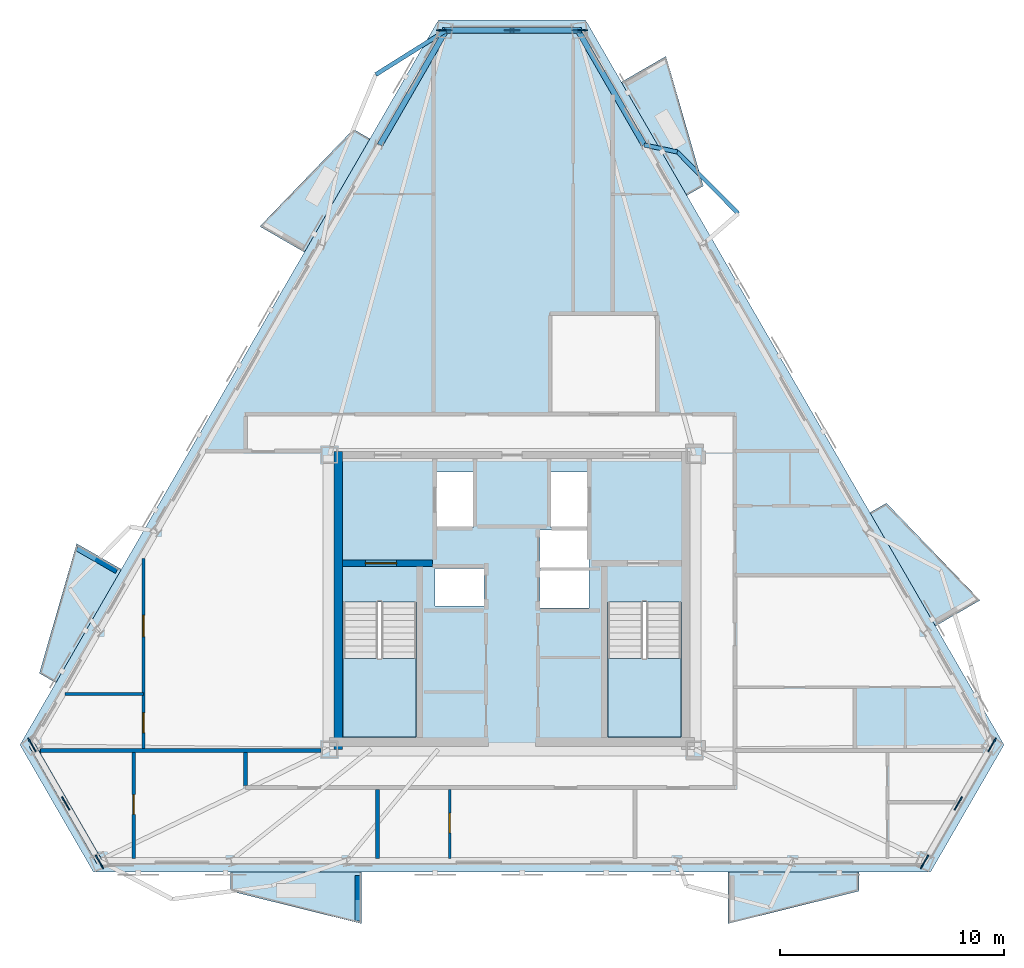
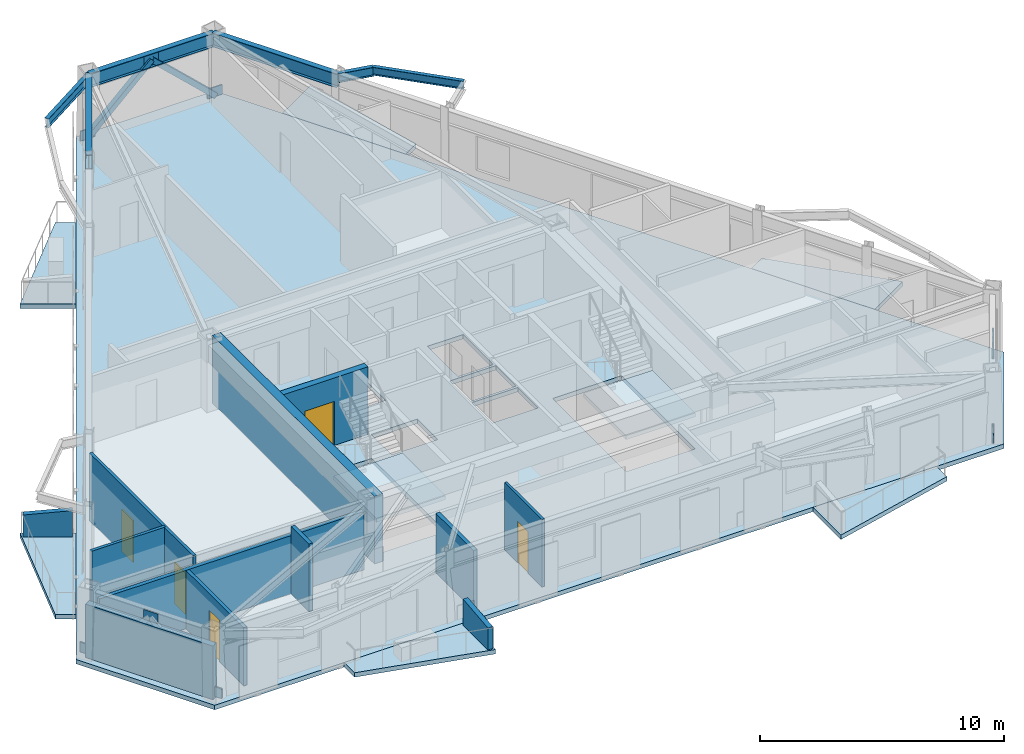
# One storey, part 2 of 9: 12 walls, 9 plates, 9 slabs, 6 beams, 5 doors, 2 members, 5 openings, 2 elements without a shape of their own.
"""IFC4 building model written with IfcOpenShell, lengths in metres."""

from ifc_helpers import new_model, si_unit, direction, frame, frame_2d, origin, origin_2d, place, context, subcontext, project, spatial, polyline, rectangle, hollow_rectangle, i_section, outline, extrude, material, layer, layer_set, material_profile, profile_set, type_object, element, fill, aggregate, save


model = new_model("IFC4")

# Units and contexts
model_context = context("Model", 3, precision=1e-05, world=origin(), true_north=direction((0.0, 1.0)))
body_context = subcontext(model_context, "Body", "Model", "MODEL_VIEW")
ifc_project = project(units=[si_unit("LENGTHUNIT", "METRE"), si_unit("AREAUNIT", "SQUARE_METRE"), si_unit("VOLUMEUNIT", "CUBIC_METRE"), si_unit("PLANEANGLEUNIT", "RADIAN"), si_unit("MASSUNIT", "GRAM", prefix="KILO")], contexts=[model_context])

# Site, building, storey
site_placement = place(None, origin())
site = spatial("IfcSite", under=ifc_project, at=site_placement, CompositionType="ELEMENT")
building_placement = place(site_placement, origin())
building = spatial("IfcBuilding", under=site, at=building_placement, Name="Oramaril Tower", CompositionType="ELEMENT")
storey_placement = place(building_placement, frame((0.0, 0.0, 234.300048828125)))
storey = spatial("IfcBuildingStorey", under=building, at=storey_placement, Name="L62", CompositionType="ELEMENT", Elevation=234.300048828125)

# Beams
ifc_material_1 = material(Name="Steel ASTM A572 Gr 50", Category="steel")
ifc_material_profile_1 = material_profile(ifc_material_1, i_section(OverallWidth=0.19091796875, OverallDepth=0.45703125, WebThickness=0.009033203125, FlangeThickness=0.014404296875, at=origin_2d()), Name="W18X50")
ifc_profile_set_1 = profile_set([ifc_material_profile_1], Name="Steel ASTM A572 Gr 50")
beam_type_1 = type_object("IfcBeamType", Name="BT-BB1", PredefinedType="BEAM", material=ifc_profile_set_1)
beam_1_placement = place(storey_placement, frame((43.4013671875, 37.993896484375, 3.1513671875), z_axis=(0.978914593591, -0.204269964642, 0.0), x_axis=(0.204269964642, 0.978914593591, 0.0)))
element("IfcBeam", 1, at=beam_1_placement, inside=storey, type_object=beam_type_1, Name="L62 Balcony Column-Framed Cantilever 04.2", PredefinedType="BEAM", context=body_context, shape_type="SweptSolid", body=[
    extrude(i_section(OverallWidth=0.19091796875, OverallDepth=0.45703125, WebThickness=0.009033203125, FlangeThickness=0.014404296875, at=origin_2d()), origin(), (0.0, 0.0, 1.0), 1.51318359375),
])
beam_2_placement = place(storey_placement, frame((34.550537109375, 43.10693359375, 3.1513671875), z_axis=(-0.846798752878, -0.531913406604, 0.0), x_axis=(0.531913406604, -0.846798752878, 0.0)))
element("IfcBeam", 2, at=beam_2_placement, inside=storey, type_object=beam_type_1, Name="L62 Balcony Column-Framed Cantilever 05.1", PredefinedType="BEAM", context=body_context, shape_type="SweptSolid", body=[
    extrude(i_section(OverallWidth=0.19091796875, OverallDepth=0.45703125, WebThickness=0.009033203125, FlangeThickness=0.014404296875, at=origin_2d()), origin(), (0.0, 0.0, 1.0), 3.699951171875),
])
ifc_material_2 = material(Name="Steel ASTM A572 Gr 50", Category="steel")
ifc_material_profile_2 = material_profile(ifc_material_2, i_section(OverallWidth=0.177978515625, OverallDepth=0.404052734375, WebThickness=0.007568359375, FlangeThickness=0.010986328125, at=origin_2d()), Name="W16X36")
ifc_profile_set_2 = profile_set([ifc_material_profile_2], Name="Steel ASTM A572 Gr 50")
beam_type_2 = type_object("IfcBeamType", Name="BT-SB1", PredefinedType="BEAM", material=ifc_profile_set_2)
beam_3_placement = place(storey_placement, frame((47.603271484375, 34.932373046875, 3.177978515625), z_axis=(-0.702994511648, 0.71119527318, 0.0), x_axis=(-0.71119527318, -0.702994511648, 0.0)))
element("IfcBeam", 3, at=beam_3_placement, inside=storey, type_object=beam_type_2, Name="L62 Balcony Edge Tie Beam 04", PredefinedType="BEAM", context=body_context, shape_type="SweptSolid", body=[
    extrude(i_section(OverallWidth=0.177978515625, OverallDepth=0.404052734375, WebThickness=0.007568359375, FlangeThickness=0.010986328125, at=origin_2d()), origin(), (0.0, 0.0, 1.0), 3.8701171875),
])
ifc_material_3 = material(Name="Steel ASTM A572 Gr 50", Category="steel")
ifc_material_profile_3 = material_profile(ifc_material_3, i_section(OverallWidth=0.257080078125, OverallDepth=0.693115234375, WebThickness=0.014404296875, FlangeThickness=0.023681640625, at=origin_2d()), Name="W27X114")
ifc_profile_set_3 = profile_set([ifc_material_profile_3], Name="Steel ASTM A572 Gr 50")
beam_type_3 = type_object("IfcBeamType", Name="BT-SP4", PredefinedType="SPANDREL", material=ifc_profile_set_3)
beam_4_placement = place(storey_placement, frame((43.4013671875, 37.993896484375, 3.033447265625), z_axis=(-0.49998614639, 0.866033402022, 0.0), x_axis=(-0.866033402022, -0.49998614639, 0.0)))
element("IfcBeam", 4, at=beam_4_placement, inside=storey, type_object=beam_type_3, Name="L62 Perimeter Spandrel 12", PredefinedType="SPANDREL", context=body_context, shape_type="SweptSolid", body=[
    extrude(i_section(OverallWidth=0.257080078125, OverallDepth=0.693115234375, WebThickness=0.014404296875, FlangeThickness=0.023681640625, at=origin_2d()), origin(), (0.0, 0.0, 1.0), 5.904052734375),
])
beam_5_placement = place(storey_placement, frame((40.449462890625, 43.10693359375, 3.033447265625), z_axis=(-1.0, 0.0, 0.0), x_axis=(0.0, -1.0, 0.0)))
element("IfcBeam", 5, at=beam_5_placement, inside=storey, type_object=beam_type_3, Name="L62 Perimeter Spandrel 13", PredefinedType="SPANDREL", context=body_context, shape_type="SweptSolid", body=[
    extrude(i_section(OverallWidth=0.257080078125, OverallDepth=0.693115234375, WebThickness=0.014404296875, FlangeThickness=0.023681640625, at=origin_2d()), origin(), (0.0, 0.0, 1.0), 5.89892578125),
])
beam_6_placement = place(storey_placement, frame((34.550537109375, 43.10693359375, 3.033447265625), z_axis=(-0.49998614639, -0.866033402022, 0.0), x_axis=(0.866033402022, -0.49998614639, 0.0)))
element("IfcBeam", 6, at=beam_6_placement, inside=storey, type_object=beam_type_3, Name="L62 Perimeter Spandrel 14", PredefinedType="SPANDREL", context=body_context, shape_type="SweptSolid", body=[
    extrude(i_section(OverallWidth=0.257080078125, OverallDepth=0.693115234375, WebThickness=0.014404296875, FlangeThickness=0.023681640625, at=origin_2d()), origin(), (0.0, 0.0, 1.0), 5.904052734375),
])

# Members
ifc_material_4 = material(Name="Steel ASTM A572 Gr 50", Category="steel")
ifc_material_profile_4 = material_profile(ifc_material_4, hollow_rectangle(XDim=0.25, YDim=0.25, WallThickness=0.011962890625, at=origin_2d()), Name="HSS250X250X12")
ifc_profile_set_4 = profile_set([ifc_material_profile_4], Name="Steel ASTM A572 Gr 50")
member_type = type_object("IfcMemberType", Name="MT-KB3", PredefinedType="BRACE", material=ifc_profile_set_4)
for number, where, z_axis, x_axis, name in (
    (7, (40.517578125, 43.116455078125, 0.179931640625), (-0.726582622961, 0.0, 0.687079101713), (0.0, -1.0, 0.0), "L62 Perimeter Chevron Brace KB-3A"),
    (8, (34.482421875, 43.116455078125, 0.179931640625), (0.726582622961, 0.0, 0.687079101713), (0.0, 1.0, 0.0), "L62 Perimeter Chevron Brace KB-3B"),
):
    element("IfcMember", number, at=place(storey_placement, frame(where, z_axis=z_axis, x_axis=x_axis)), inside=storey, type_object=member_type, Name=name, PredefinedType="BRACE", context=body_context, shape_type="SweptSolid", body=[
        extrude(hollow_rectangle(XDim=0.25, YDim=0.25, WallThickness=0.011962890625, at=origin_2d()), origin(), (0.0, 0.0, 1.0), 4.153076171875),
    ])

# Plates
ifc_material_5 = material(Name="Steel ASTM A572 Gr 50", Category="steel")
ifc_layer_1 = layer(ifc_material_5, 0.06005859375)
ifc_layer_set_1 = layer_set([ifc_layer_1], Name="PLT-G60")
plate_type = type_object("IfcPlateType", Name="PLT-G60", PredefinedType="USERDEFINED", material=ifc_layer_set_1)
for number, where, z_axis, x_axis, name in (
    (9, (17.5673828125, 8.591796875, 2.79345703125), (0.0, 0.0, 1.0), (0.5, -0.866025403784, 0.0), "L62 Chevron Brace Gusset Plate BN-1"),
    (10, (16.058349609375, 11.205078125, 0.099853515625), (0.0, 0.0, 1.0), (0.5, -0.866025403784, 0.0), "L62 Chevron Brace Gusset Plate BN-1"),
    (11, (19.076171875, 5.978515625, 0.099853515625), (0.0, 0.0, 1.0), (0.5, -0.866025403784, 0.0), "L62 Chevron Brace Gusset Plate BN-1"),
    (12, (57.4326171875, 8.591796875, 2.79345703125), (0.0, 0.0, 1.0), (0.5, 0.866025403784, 0.0), "L62 Chevron Brace Gusset Plate BN-1"),
    (13, (55.923828125, 5.978515625, 0.099853515625), (0.0, 0.0, 1.0), (0.5, 0.866025403784, 0.0), "L62 Chevron Brace Gusset Plate BN-1"),
    (14, (58.941650390625, 11.205078125, 0.099853515625), (0.0, 0.0, 1.0), (0.5, 0.866025403784, 0.0), "L62 Chevron Brace Gusset Plate BN-1"),
    (15, (37.5, 43.116455078125, 2.79345703125), (0.0, 0.0, 1.0), (-1.0, 0.0, 0.0), "L62 Chevron Brace Gusset Plate BN-1"),
    (16, (40.517578125, 43.116455078125, 0.099853515625), (0.0, 0.0, 1.0), (-1.0, 0.0, 0.0), "L62 Chevron Brace Gusset Plate BN-1"),
    (17, (34.482421875, 43.116455078125, 0.099853515625), (0.0, 0.0, 1.0), (-1.0, 0.0, 0.0), "L62 Chevron Brace Gusset Plate BN-1"),
):
    element("IfcPlate", number, at=place(storey_placement, frame(where, z_axis=z_axis, x_axis=x_axis)), inside=storey, type_object=plate_type, Name=name, ObjectType="GUSSET", PredefinedType="USERDEFINED", context=body_context, shape_type="SweptSolid", body=[
        extrude(rectangle(XDim=0.679931640625, YDim=0.06005859375, at=origin_2d()), origin(), (0.0, 0.0, 1.0), 0.47998046875),
    ])

# Slabs
ifc_material_6 = material(Name="Concrete C40/50", Category="concrete")
ifc_layer_2 = layer(ifc_material_6, 0.199951171875)
ifc_layer_set_2 = layer_set([ifc_layer_2], Name="SLT-BAL20")
slab_type_1 = type_object("IfcSlabType", Name="SLT-BAL20", PredefinedType="FLOOR", material=ifc_layer_set_2)
slab_1_placement = place(storey_placement, frame((0.0, 0.0, -0.219970703125)))
element("IfcSlab", 18, at=slab_1_placement, inside=storey, type_object=slab_type_1, Name="L62 Cantilevered Balcony Slab L62-BAL-S2", PredefinedType="FLOOR", context=body_context, shape_type="SweptSolid", body=[
    extrude(outline(polyline([(47.139404296875, 5.5205078125), (52.989501953125, 5.5205078125), (52.989501953125, 4.66845703125), (47.139404296875, 3.218505859375), (47.139404296875, 5.5205078125)])), origin(), (0.0, 0.0, 1.0), 0.219970703125),
])
slab_2_placement = place(storey_placement, frame((0.0, 0.0, -0.219970703125)))
element("IfcSlab", 19, at=slab_2_placement, inside=storey, type_object=slab_type_1, Name="L62 Cantilevered Balcony Slab L62-BAL-NE1", PredefinedType="FLOOR", context=body_context, shape_type="SweptSolid", body=[
    extrude(outline(polyline([(56.40869140625, 16.508544921875), (53.483642578125, 21.574951171875), (54.221435546875, 22.0009765625), (58.402099609375, 17.65966796875), (56.40869140625, 16.508544921875)])), origin(), (0.0, 0.0, 1.0), 0.219970703125),
])
slab_3_placement = place(storey_placement, frame((0.0, 0.0, -0.219970703125)))
element("IfcSlab", 20, at=slab_3_placement, inside=storey, type_object=slab_type_1, Name="L62 Cantilevered Balcony Slab L62-BAL-NW2", PredefinedType="FLOOR", context=body_context, shape_type="SweptSolid", body=[
    extrude(outline(polyline([(20.053955078125, 19.041748046875), (17.12890625, 13.9755859375), (16.39111328125, 14.401611328125), (18.060302734375, 20.192626953125), (20.053955078125, 19.041748046875)])), origin(), (0.0, 0.0, 1.0), 0.219970703125),
])
ifc_material_7 = material(Name="Concrete C50/60", Category="concrete")
ifc_layer_3 = layer(ifc_material_7, 0.219970703125)
ifc_layer_set_3 = layer_set([ifc_layer_3], Name="SLT-FLR22")
slab_type_2 = type_object("IfcSlabType", Name="SLT-FLR22", PredefinedType="FLOOR", material=ifc_layer_set_3)
slab_4_placement = place(storey_placement, frame((0.0, 0.0, -0.219970703125)))
element("IfcSlab", 21, at=slab_4_placement, inside=storey, type_object=slab_type_2, Name="L62 Structural Floor Slab", PredefinedType="FLOOR", context=body_context, shape_type="SweptSolid", body=[
    extrude(outline(polyline([(15.527099609375, 11.205078125), (18.810546875, 5.518310546875), (56.189453125, 5.518310546875), (59.472900390625, 11.205078125), (40.783203125, 43.576416015625), (34.216796875, 43.576416015625), (15.527099609375, 11.205078125)]), holes=[polyline([(29.949951171875, 17.58935546875), (29.949951171875, 11.550048828125), (33.219970703125, 11.550048828125), (33.219970703125, 17.58935546875), (29.949951171875, 17.58935546875)]), polyline([(41.780029296875, 17.58935546875), (41.780029296875, 11.550048828125), (45.050048828125, 11.550048828125), (45.050048828125, 17.58935546875), (41.780029296875, 17.58935546875)]), polyline([(34.110107421875, 20.909912109375), (35.7900390625, 20.909912109375), (35.7900390625, 23.389892578125), (34.110107421875, 23.389892578125), (34.110107421875, 20.909912109375)]), polyline([(39.2099609375, 20.909912109375), (40.889892578125, 20.909912109375), (40.889892578125, 23.389892578125), (39.2099609375, 23.389892578125), (39.2099609375, 20.909912109375)]), polyline([(34.06005859375, 17.409912109375), (36.239990234375, 17.409912109375), (36.239990234375, 19.090087890625), (34.06005859375, 19.090087890625), (34.06005859375, 17.409912109375)]), polyline([(38.760009765625, 17.31005859375), (40.93994140625, 17.31005859375), (40.93994140625, 18.989990234375), (38.760009765625, 18.989990234375), (38.760009765625, 17.31005859375)]), polyline([(38.760009765625, 19.110107421875), (40.93994140625, 19.110107421875), (40.93994140625, 20.7900390625), (38.760009765625, 20.7900390625), (38.760009765625, 19.110107421875)])]), origin(), (0.0, 0.0, 1.0), 0.219970703125),
])

# Stair, slab
ifc_material_8 = material(Name="Concrete C50/60", Category="concrete")
stair_type = type_object("IfcStairType", Name="STT-DG-3600", PredefinedType="HALF_TURN_STAIR", material=ifc_material_8)
stair_1_placement = place(storey_placement, origin())
stair_1 = element("IfcStair", 22, at=stair_1_placement, inside=storey, type_object=stair_type, Name="L62 Protected PFP Exit Stair ST-1", PredefinedType="HALF_TURN_STAIR")
ifc_material_9 = material(Name="Concrete C50/60", Category="concrete")
ifc_layer_4 = layer(ifc_material_9, 0.199951171875)
ifc_layer_set_4 = layer_set([ifc_layer_4], Name="SLT-LND20")
slab_type_3 = type_object("IfcSlabType", Name="SLT-LND20", PredefinedType="LANDING", material=ifc_layer_set_4)
slab_5_placement = place(storey_placement, frame((0.0, 0.0, 1.599853515625)))
slab_5 = element("IfcSlab", 23, at=slab_5_placement, type_object=slab_type_3, Name="ST-1 landing 1", PredefinedType="LANDING", context=body_context, shape_type="SweptSolid", body=[
    extrude(outline(polyline([(29.949951171875, 15.070068359375), (29.949951171875, 11.550048828125), (33.219970703125, 11.550048828125), (33.219970703125, 15.070068359375), (29.949951171875, 15.070068359375)])), origin(), (0.0, 0.0, 1.0), 0.2001953125),
])
aggregate(stair_1, [slab_5])

stair_2_placement = place(storey_placement, origin())
stair_2 = element("IfcStair", 24, at=stair_2_placement, inside=storey, type_object=stair_type, Name="L62 Protected PFP Exit Stair ST-2", PredefinedType="HALF_TURN_STAIR")
slab_6_placement = place(storey_placement, frame((0.0, 0.0, 1.599853515625)))
slab_6 = element("IfcSlab", 25, at=slab_6_placement, type_object=slab_type_3, Name="ST-2 landing 1", PredefinedType="LANDING", context=body_context, shape_type="SweptSolid", body=[
    extrude(outline(polyline([(41.780029296875, 15.070068359375), (41.780029296875, 11.550048828125), (45.050048828125, 11.550048828125), (45.050048828125, 15.070068359375), (41.780029296875, 15.070068359375)])), origin(), (0.0, 0.0, 1.0), 0.2001953125),
])
aggregate(stair_2, [slab_6])

# Slabs
ifc_material_10 = material(Name="Concrete C40/50", Category="concrete")
ifc_layer_5 = layer(ifc_material_10, 0.18994140625)
ifc_layer_set_5 = layer_set([ifc_layer_5], Name="SLT-PLN19")
slab_type_4 = type_object("IfcSlabType", Name="SLT-PLN19", PredefinedType="FLOOR", material=ifc_layer_set_5)
slab_7_placement = place(storey_placement, frame((0.0, 0.0, -0.219970703125)))
element("IfcSlab", 26, at=slab_7_placement, inside=storey, type_object=slab_type_4, Name="L62 Tree Planter Balcony Slab L62-BAL-S1", PredefinedType="FLOOR", context=body_context, shape_type="SweptSolid", body=[
    extrude(outline(polyline([(24.935546875, 5.5205078125), (30.785400390625, 5.5205078125), (30.785400390625, 3.218505859375), (24.935546875, 4.66845703125), (24.935546875, 5.5205078125)])), origin(), (0.0, 0.0, 1.0), 0.219970703125),
])
slab_8_placement = place(storey_placement, frame((0.0, 0.0, -0.219970703125)))
element("IfcSlab", 27, at=slab_8_placement, inside=storey, type_object=slab_type_4, Name="L62 Tree Planter Balcony Slab L62-BAL-NE2", PredefinedType="FLOOR", context=body_context, shape_type="SweptSolid", body=[
    extrude(outline(polyline([(45.306640625, 35.73779296875), (42.381591796875, 40.80419921875), (44.375244140625, 41.955078125), (46.04443359375, 36.163818359375), (45.306640625, 35.73779296875)])), origin(), (0.0, 0.0, 1.0), 0.219970703125),
])
slab_9_placement = place(storey_placement, frame((0.0, 0.0, -0.219970703125)))
element("IfcSlab", 28, at=slab_9_placement, inside=storey, type_object=slab_type_4, Name="L62 Tree Planter Balcony Slab L62-BAL-NW1", PredefinedType="FLOOR", context=body_context, shape_type="SweptSolid", body=[
    extrude(outline(polyline([(31.156005859375, 38.27099609375), (28.23095703125, 33.20458984375), (26.2373046875, 34.355712890625), (30.418212890625, 38.697021484375), (31.156005859375, 38.27099609375)])), origin(), (0.0, 0.0, 1.0), 0.219970703125),
])

# Walls
ifc_material_11 = material(Name="Warm Cream Limestone", Category="masonry")
ifc_layer_6 = layer(ifc_material_11, 0.2900390625)
ifc_layer_set_6 = layer_set([ifc_layer_6], Name="WT-EXT29")
wall_type_1 = type_object("IfcWallType", Name="WT-EXT29", PredefinedType="SOLIDWALL", material=ifc_layer_set_6)
wall_1_placement = place(storey_placement, frame((16.058349609375, 11.205078125, 0.0), z_axis=(0.0, 0.0, 1.0), x_axis=(0.500032931097, -0.866006390172, 0.0)))
element("IfcWall", 29, at=wall_1_placement, inside=storey, type_object=wall_type_1, Name="L62 Tower Limestone Facade Wall 1M", PredefinedType="SOLIDWALL", context=body_context, shape_type="SweptSolid", body=[
    extrude(rectangle(XDim=6.03515625, YDim=0.2900390625, at=frame_2d((3.017578125, 0.0))), origin(), (0.0, 0.0, 1.0), 2.677001953125),
])
ifc_material_12 = material(Name="Concrete C40/50", Category="concrete")
ifc_layer_7 = layer(ifc_material_12, 0.22998046875)
ifc_layer_set_7 = layer_set([ifc_layer_7], Name="WT-PRP23")
wall_type_2 = type_object("IfcWallType", Name="WT-PRP23", PredefinedType="PARAPET", material=ifc_layer_set_7)
for number, where, z_axis, x_axis, name in (
    (30, (30.60546875, 5.38037109375, 0.0), (0.0, 0.0, 1.0), (0.0, -1.0, 0.0), "L62 Trapezoidal Balcony Frame Cheek L62-BAL-S1-R"),
    (31, (19.8427734375, 18.955810546875, 0.0), (0.0, 0.0, 1.0), (-0.866042246008, 0.499970827278, 0.0), "L62 Trapezoidal Balcony Frame Cheek L62-BAL-NW2-L"),
):
    element("IfcWall", number, at=place(storey_placement, frame(where, z_axis=z_axis, x_axis=x_axis)), inside=storey, type_object=wall_type_2, Name=name, PredefinedType="PARAPET", context=body_context, shape_type="SweptSolid", body=[
        extrude(outline(polyline([(0.0, 0.0), (2.0419921875, 0.0), (2.0419921875, 1.099853515625), (0.0, 1.320068359375), (0.0, 0.0)])), frame((0.0, 0.114990234375, 0.0), z_axis=(0.0, -1.0, 0.0), x_axis=(1.0, 0.0, 0.0)), (0.0, 0.0, 1.0), 0.22998046875),
    ])

# Wall, opening, door
ifc_material_13 = material(Name="Acoustic Gypsum Board Partition")
ifc_layer_8 = layer(ifc_material_13, 0.1201171875)
ifc_layer_set_8 = layer_set([ifc_layer_8], Name="WT-PT12")
wall_type_3 = type_object("IfcWallType", Name="WT-PT12", PredefinedType="PARTITIONING", material=ifc_layer_set_8)
wall_2_placement = place(storey_placement, frame((34.719970703125, 6.12744140625, 0.0), z_axis=(0.0, 0.0, 1.0), x_axis=(0.0, 1.0, 0.0)))
wall_2 = element("IfcWall", 32, at=wall_2_placement, inside=storey, type_object=wall_type_3, Name="L62 Interior Partition PT-12", PredefinedType="PARTITIONING", context=body_context, shape_type="SweptSolid", body=[
    extrude(rectangle(XDim=3.07861328125, YDim=0.1201171875, at=frame_2d((1.539306640625, 0.0))), origin(), (0.0, 0.0, 1.0), 3.3798828125),
])
opening_1_placement = place(wall_2_placement, frame((1.146728515625, 0.0, 0.0)))
opening_1 = element("IfcOpeningElement", 33, at=opening_1_placement, cuts=wall_2, Name="Opening D-L62-19", PredefinedType="OPENING", context=body_context, shape_type="SweptSolid", body=[
    extrude(rectangle(XDim=0.8798828125, YDim=2.080078125, at=frame_2d((0.43994140625, 1.0400390625))), frame((0.0, 0.06005859375, 0.0), z_axis=(0.0, -1.0, 0.0), x_axis=(1.0, 0.0, 0.0)), (0.0, 0.0, 1.0), 0.1201171875),
])
ifc_material_14 = material(Name="FSC Brazilian Freijo Hardwood", Category="wood")
door_type_1 = type_object("IfcDoorType", Name="DT-BATH", OperationType="NOTDEFINED", PredefinedType="DOOR", material=ifc_material_14)
door_1_placement = place(opening_1_placement, origin())
door_1 = element("IfcDoor", 34, at=door_1_placement, inside=storey, type_object=door_type_1, Name="L62 Flat L62-U2 Bathroom Door D-L62-19", OperationType="SINGLE_SWING_LEFT", OverallHeight=2.080078125, OverallWidth=0.8798828125, PredefinedType="DOOR", context=body_context, shape_type="SweptSolid", body=[
    extrude(rectangle(XDim=0.8798828125, YDim=2.080078125, at=frame_2d((0.43994140625, 1.0400390625))), frame((0.0, 0.02490234375, 0.0), z_axis=(0.0, -1.0, 0.0), x_axis=(1.0, 0.0, 0.0)), (0.0, 0.0, 1.0), 0.050048828125),
])
fill(opening_1, door_1)

# Wall
ifc_material_15 = material(Name="Acoustic Gypsum Board Partition")
ifc_layer_9 = layer(ifc_material_15, 0.139892578125)
ifc_layer_set_9 = layer_set([ifc_layer_9], Name="WT-PT14")
wall_type_4 = type_object("IfcWallType", Name="WT-PT14", PredefinedType="PARTITIONING", material=ifc_layer_set_9)
wall_3_placement = place(storey_placement, frame((17.5380859375, 13.469970703125, 0.0), z_axis=(0.0, 0.0, 1.0), x_axis=(1.0, 0.0, 0.0)))
element("IfcWall", 35, at=wall_3_placement, inside=storey, type_object=wall_type_4, Name="L62 Interior Partition PT-14", PredefinedType="PARTITIONING", context=body_context, shape_type="SweptSolid", body=[
    extrude(rectangle(XDim=3.4990234375, YDim=0.139892578125, at=frame_2d((1.74951171875, 0.0))), origin(), (0.0, 0.0, 1.0), 3.3798828125),
])

# Wall, openings, doors
wall_4_placement = place(storey_placement, frame((21.0400390625, 11.0439453125, 0.0), z_axis=(0.0, 0.0, 1.0), x_axis=(0.0, 1.0, 0.0)))
wall_4 = element("IfcWall", 36, at=wall_4_placement, inside=storey, type_object=wall_type_4, Name="L62 Interior Partition PT-14", PredefinedType="PARTITIONING", context=body_context, shape_type="SweptSolid", body=[
    extrude(rectangle(XDim=8.49169921875, YDim=0.139892578125, at=frame_2d((4.245849609375, 0.0))), origin(), (0.0, 0.0, 1.0), 3.3798828125),
])
opening_2_placement = place(wall_4_placement, frame((0.7109375, 0.0, 0.0)))
opening_2 = element("IfcOpeningElement", 37, at=opening_2_placement, cuts=wall_4, Name="Opening D-L62-17", PredefinedType="OPENING", context=body_context, shape_type="SweptSolid", body=[
    extrude(rectangle(XDim=0.8798828125, YDim=2.080078125, at=frame_2d((0.43994140625, 1.0400390625))), frame((0.0, 0.06982421875, 0.0), z_axis=(0.0, -1.0, 0.0), x_axis=(1.0, 0.0, 0.0)), (0.0, 0.0, 1.0), 0.139892578125),
])
opening_3_placement = place(wall_4_placement, frame((4.9951171875, 0.0, 0.0)))
opening_3 = element("IfcOpeningElement", 38, at=opening_3_placement, cuts=wall_4, Name="Opening D-L62-18", PredefinedType="OPENING", context=body_context, shape_type="SweptSolid", body=[
    extrude(rectangle(XDim=0.949951171875, YDim=2.10009765625, at=frame_2d((0.47509765625, 1.050048828125))), frame((0.0, 0.06982421875, 0.0), z_axis=(0.0, -1.0, 0.0), x_axis=(1.0, 0.0, 0.0)), (0.0, 0.0, 1.0), 0.139892578125),
])
door_2_placement = place(opening_2_placement, origin())
door_2 = element("IfcDoor", 39, at=door_2_placement, inside=storey, type_object=door_type_1, Name="L62 Flat L62-U4 Bathroom Door D-L62-17", OperationType="SINGLE_SWING_LEFT", OverallHeight=2.080078125, OverallWidth=0.8798828125, PredefinedType="DOOR", context=body_context, shape_type="SweptSolid", body=[
    extrude(rectangle(XDim=0.8798828125, YDim=2.080078125, at=frame_2d((0.43994140625, 1.0400390625))), frame((0.0, 0.02490234375, 0.0), z_axis=(0.0, -1.0, 0.0), x_axis=(1.0, 0.0, 0.0)), (0.0, 0.0, 1.0), 0.050048828125),
])
fill(opening_2, door_2)
ifc_material_16 = material(Name="FSC Brazilian Freijo Hardwood", Category="wood")
door_type_2 = type_object("IfcDoorType", Name="DT-STDY", OperationType="NOTDEFINED", PredefinedType="DOOR", material=ifc_material_16)
door_3_placement = place(opening_3_placement, origin())
door_3 = element("IfcDoor", 40, at=door_3_placement, inside=storey, type_object=door_type_2, Name="L62 Flat L62-U4 Kitchen Door D-L62-18", OperationType="SINGLE_SWING_RIGHT", OverallHeight=2.10009765625, OverallWidth=0.949951171875, PredefinedType="DOOR", context=body_context, shape_type="SweptSolid", body=[
    extrude(rectangle(XDim=0.949951171875, YDim=2.10009765625, at=frame_2d((0.47509765625, 1.050048828125))), frame((0.0, 0.02490234375, 0.0), z_axis=(0.0, -1.0, 0.0), x_axis=(1.0, 0.0, 0.0)), (0.0, 0.0, 1.0), 0.050048828125),
])
fill(opening_3, door_3)

# Wall, opening, door
ifc_material_17 = material(Name="Acoustic Gypsum Board Partition")
ifc_layer_10 = layer(ifc_material_17, 0.159912109375)
ifc_layer_set_10 = layer_set([ifc_layer_10], Name="WT-PT16")
wall_type_5 = type_object("IfcWallType", Name="WT-PT16", PredefinedType="PARTITIONING", material=ifc_layer_set_10)
wall_5_placement = place(storey_placement, frame((20.610107421875, 6.12744140625, 0.0), z_axis=(0.0, 0.0, 1.0), x_axis=(0.0, 1.0, 0.0)))
wall_5 = element("IfcWall", 41, at=wall_5_placement, inside=storey, type_object=wall_type_5, Name="L62 Interior Partition PT-16", PredefinedType="PARTITIONING", context=body_context, shape_type="SweptSolid", body=[
    extrude(rectangle(XDim=4.728515625, YDim=0.159912109375, at=frame_2d((2.3642578125, 0.0))), origin(), (0.0, 0.0, 1.0), 2.912841796875),
])
opening_4_placement = place(wall_5_placement, frame((1.9716796875, 0.0, 0.0)))
opening_4 = element("IfcOpeningElement", 42, at=opening_4_placement, cuts=wall_5, Name="Opening D-L62-16", PredefinedType="OPENING", context=body_context, shape_type="SweptSolid", body=[
    extrude(rectangle(XDim=0.8798828125, YDim=2.080078125, at=frame_2d((0.43994140625, 1.0400390625))), frame((0.0, 0.080078125, 0.0), z_axis=(0.0, -1.0, 0.0), x_axis=(1.0, 0.0, 0.0)), (0.0, 0.0, 1.0), 0.159912109375),
])
door_4_placement = place(opening_4_placement, origin())
door_4 = element("IfcDoor", 43, at=door_4_placement, inside=storey, type_object=door_type_1, Name="L62 Flat L62-U1 Bathroom Door D-L62-16", OperationType="SINGLE_SWING_RIGHT", OverallHeight=2.080078125, OverallWidth=0.8798828125, PredefinedType="DOOR", context=body_context, shape_type="SweptSolid", body=[
    extrude(rectangle(XDim=0.8798828125, YDim=2.080078125, at=frame_2d((0.43994140625, 1.0400390625))), frame((0.0, 0.02490234375, 0.0), z_axis=(0.0, -1.0, 0.0), x_axis=(1.0, 0.0, 0.0)), (0.0, 0.0, 1.0), 0.050048828125),
])
fill(opening_4, door_4)

# Walls
ifc_material_18 = material(Name="Autoclaved Cellular Concrete Block", Category="concrete")
ifc_layer_11 = layer(ifc_material_18, 0.179931640625)
ifc_layer_set_11 = layer_set([ifc_layer_11], Name="WT-PT18")
wall_type_6 = type_object("IfcWallType", Name="WT-PT18", PredefinedType="PARTITIONING", material=ifc_layer_set_11)
wall_6_placement = place(storey_placement, frame((16.444580078125, 10.949951171875, 0.0), z_axis=(0.0, 0.0, 1.0), x_axis=(1.0, 0.0, 0.0)))
element("IfcWall", 44, at=wall_6_placement, inside=storey, type_object=wall_type_6, Name="L62 Interior Partition PT-18", PredefinedType="PARTITIONING", context=body_context, shape_type="SweptSolid", body=[
    extrude(rectangle(XDim=12.515380859375, YDim=0.179931640625, at=frame_2d((6.2578125, 0.0))), origin(), (0.0, 0.0, 1.0), 2.912841796875),
])
wall_7_placement = place(storey_placement, frame((25.60009765625, 9.39404296875, 0.0), z_axis=(0.0, 0.0, 1.0), x_axis=(0.0, 1.0, 0.0)))
element("IfcWall", 45, at=wall_7_placement, inside=storey, type_object=wall_type_6, Name="L62 Interior Partition PT-18", PredefinedType="PARTITIONING", context=body_context, shape_type="SweptSolid", body=[
    extrude(rectangle(XDim=1.4619140625, YDim=0.179931640625, at=frame_2d((0.73095703125, 0.0))), origin(), (0.0, 0.0, 1.0), 3.3798828125),
])
wall_8_placement = place(storey_placement, frame((31.5, 6.12744140625, 0.0), z_axis=(0.0, 0.0, 1.0), x_axis=(0.0, 1.0, 0.0)))
element("IfcWall", 46, at=wall_8_placement, inside=storey, type_object=wall_type_6, Name="L62 Interior Partition PT-18", PredefinedType="PARTITIONING", context=body_context, shape_type="SweptSolid", body=[
    extrude(rectangle(XDim=3.07861328125, YDim=0.179931640625, at=frame_2d((1.539306640625, 0.0))), origin(), (0.0, 0.0, 1.0), 2.966064453125),
])

# Wall, opening, door
ifc_material_19 = material(Name="Concrete C50/60", Category="concrete")
ifc_layer_12 = layer(ifc_material_19, 0.300048828125)
ifc_layer_set_12 = layer_set([ifc_layer_12], Name="WT-SH30")
wall_type_7 = type_object("IfcWallType", Name="WT-SH30", PredefinedType="SHEAR", material=ifc_layer_set_12)
wall_9_placement = place(storey_placement, frame((29.93994140625, 19.31005859375, 0.0), z_axis=(0.0, 0.0, 1.0), x_axis=(1.0, 0.0, 0.0)))
wall_9 = element("IfcWall", 47, at=wall_9_placement, inside=storey, type_object=wall_type_7, Name="L62 Core Shear Wall CW-ST1N", PredefinedType="SHEAR", context=body_context, shape_type="SweptSolid", body=[
    extrude(rectangle(XDim=4.010009765625, YDim=0.300048828125, at=frame_2d((2.0048828125, 0.0))), origin(), (0.0, 0.0, 1.0), 3.3798828125),
])
opening_5_placement = place(wall_9_placement, frame((1.010009765625, 0.0, 0.0)))
opening_5 = element("IfcOpeningElement", 48, at=opening_5_placement, cuts=wall_9, Name="Opening D-L62-ST1", PredefinedType="OPENING", context=body_context, shape_type="SweptSolid", body=[
    extrude(rectangle(XDim=1.39990234375, YDim=2.199951171875, at=frame_2d((0.699951171875, 1.10009765625))), frame((0.0, 0.14990234375, 0.0), z_axis=(0.0, -1.0, 0.0), x_axis=(1.0, 0.0, 0.0)), (0.0, 0.0, 1.0), 0.300048828125),
])
ifc_material_20 = material(Name="Painted Galvanised Steel", Category="steel")
door_type_3 = type_object("IfcDoorType", Name="DT-ST", OperationType="NOTDEFINED", PredefinedType="DOOR", material=ifc_material_20)
door_5_placement = place(opening_5_placement, origin())
door_5 = element("IfcDoor", 49, at=door_5_placement, inside=storey, type_object=door_type_3, Name="L62 Protected Stair ST-1 Fire Door", OperationType="SINGLE_SWING_LEFT", OverallHeight=2.199951171875, OverallWidth=1.39990234375, PredefinedType="DOOR", context=body_context, shape_type="SweptSolid", body=[
    extrude(rectangle(XDim=1.39990234375, YDim=2.199951171875, at=frame_2d((0.699951171875, 1.10009765625))), frame((0.0, 0.02490234375, 0.0), z_axis=(0.0, -1.0, 0.0), x_axis=(1.0, 0.0, 0.0)), (0.0, 0.0, 1.0), 0.050048828125),
])
fill(opening_5, door_5)

# Wall
ifc_material_21 = material(Name="Concrete C50/60", Category="concrete")
ifc_layer_13 = layer(ifc_material_21, 0.39990234375)
ifc_layer_set_13 = layer_set([ifc_layer_13], Name="WT-SH40")
wall_type_8 = type_object("IfcWallType", Name="WT-SH40", PredefinedType="SHEAR", material=ifc_layer_set_13)
wall_10_placement = place(storey_placement, frame((29.739990234375, 11.0, 0.0), z_axis=(0.0, 0.0, 1.0), x_axis=(0.0, 1.0, 0.0)))
element("IfcWall", 50, at=wall_10_placement, inside=storey, type_object=wall_type_8, Name="L62 Core Shear Wall CW-W", PredefinedType="SHEAR", context=body_context, shape_type="SweptSolid", body=[
    extrude(rectangle(XDim=13.300048828125, YDim=0.39990234375, at=frame_2d((6.64990234375, 0.0))), origin(), (0.0, 0.0, 1.0), 3.3798828125),
])

save(model, "model.ifc")
